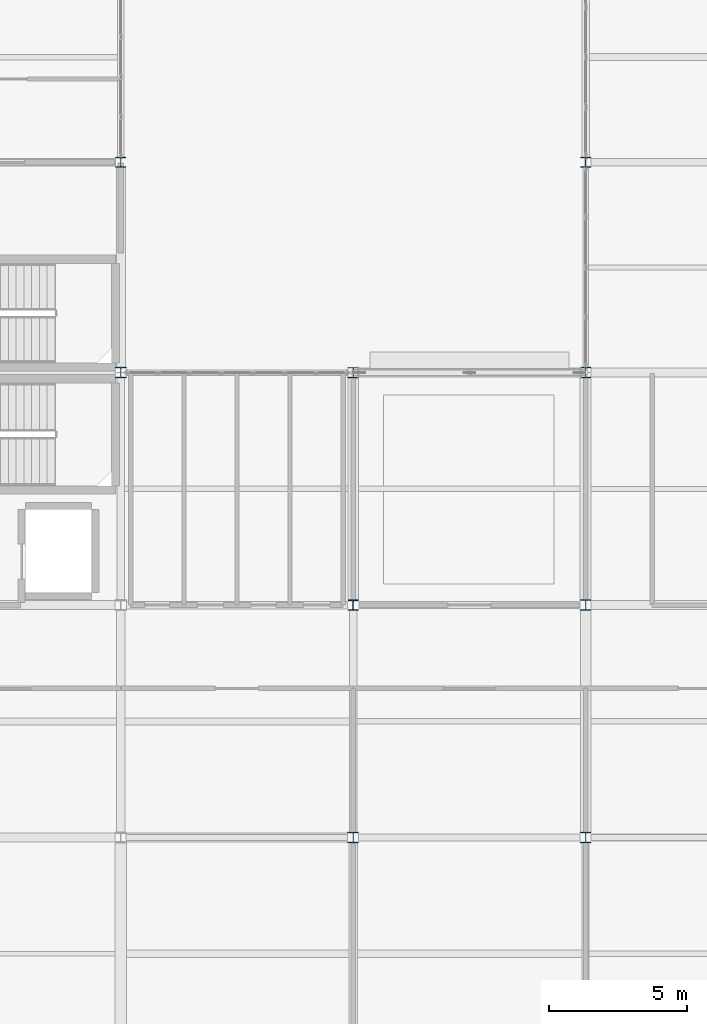
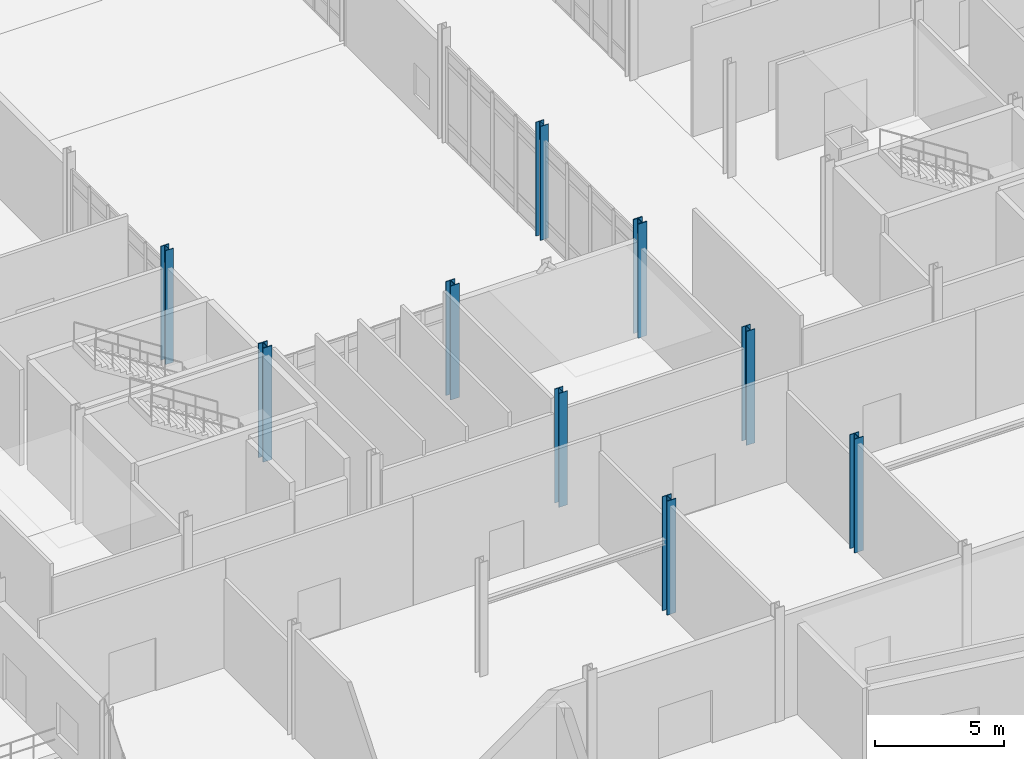
# One storey, part 3 of 229: 9 columns.
"""IFC4 building model written with IfcOpenShell, lengths in metres."""

from ifc_helpers import new_model, si_unit, direction, frame, origin, origin_2d, place, context, subcontext, project, spatial, i_section, extrude, material, material_profile, profile_set, type_object, element, save


model = new_model("IFC4")

# Units and contexts
model_context = context("Model", 3, precision=1e-05, world=origin(), true_north=direction((0.0, 1.0)))
body_context = subcontext(model_context, "Body", "Model", "MODEL_VIEW")
ifc_project = project(units=[si_unit("LENGTHUNIT", "METRE"), si_unit("AREAUNIT", "SQUARE_METRE"), si_unit("VOLUMEUNIT", "CUBIC_METRE"), si_unit("PLANEANGLEUNIT", "RADIAN"), si_unit("MASSUNIT", "GRAM", prefix="KILO")], contexts=[model_context])

# Site, building, storey
site_placement = place(None, origin())
site = spatial("IfcSite", under=ifc_project, at=site_placement, CompositionType="ELEMENT")
building_placement = place(site_placement, origin())
building = spatial("IfcBuilding", under=site, at=building_placement, Name="Calvrana Isthmian Art Gallery", CompositionType="ELEMENT")
storey_placement = place(building_placement, origin())
storey = spatial("IfcBuildingStorey", under=building, at=storey_placement, Name="L00", CompositionType="ELEMENT", Elevation=0.0)

# Columns
ifc_material = material(Name="Steel ASTM A992 Gr 50", Category="steel")
ifc_material_profile_1 = material_profile(ifc_material, i_section(OverallWidth=0.37109375, OverallDepth=0.363037109375, WebThickness=0.01318359375, FlangeThickness=0.021728515625, FilletRadius=0.02490234375, at=origin_2d()), Name="W14X109")
ifc_profile_set_1 = profile_set([ifc_material_profile_1], Name="Steel ASTM A992 Gr 50")
column_type_1 = type_object("IfcColumnType", Name="COL-STL-W14X109", PredefinedType="COLUMN", material=ifc_profile_set_1)
column_1_placement = place(storey_placement, frame((55.199951171875, 54.39990234375, 0.0), z_axis=(0.0, 0.0, 1.0), x_axis=(1.0, 0.0, 0.0)))
element("IfcColumn", 1, at=column_1_placement, inside=storey, type_object=column_type_1, Name="Column 08/H L00", PredefinedType="COLUMN", context=body_context, shape_type="SweptSolid", body=[
    extrude(i_section(OverallWidth=0.37109375, OverallDepth=0.363037109375, WebThickness=0.01318359375, FlangeThickness=0.021728515625, FilletRadius=0.02490234375, at=origin_2d()), origin(), (0.0, 0.0, 1.0), 5.39990234375),
])
ifc_material_profile_2 = material_profile(ifc_material, i_section(OverallWidth=0.373046875, OverallDepth=0.373046875, WebThickness=0.016357421875, FlangeThickness=0.026123046875, FilletRadius=0.02490234375, at=origin_2d()), Name="W14X132")
ifc_profile_set_2 = profile_set([ifc_material_profile_2], Name="Steel ASTM A992 Gr 50")
column_type_2 = type_object("IfcColumnType", Name="COL-STL-W14X132", PredefinedType="COLUMN", material=ifc_profile_set_2)
for number, where, z_axis, x_axis, name in (
    (2, (38.39990234375, 54.39990234375, 0.0), (0.0, 0.0, 1.0), (1.0, 0.0, 0.0), "Column 06/H L00"),
    (3, (46.800048828125, 38.39990234375, 0.0), (0.0, 0.0, 1.0), (1.0, 0.0, 0.0), "Column 07/F L00"),
):
    element("IfcColumn", number, at=place(storey_placement, frame(where, z_axis=z_axis, x_axis=x_axis)), inside=storey, type_object=column_type_2, Name=name, PredefinedType="COLUMN", context=body_context, shape_type="SweptSolid", body=[
        extrude(i_section(OverallWidth=0.373046875, OverallDepth=0.373046875, WebThickness=0.016357421875, FlangeThickness=0.026123046875, FilletRadius=0.02490234375, at=origin_2d()), origin(), (0.0, 0.0, 1.0), 5.39990234375),
    ])
ifc_material_profile_3 = material_profile(ifc_material, i_section(OverallWidth=0.39599609375, OverallDepth=0.381103515625, WebThickness=0.018798828125, FlangeThickness=0.0302734375, FilletRadius=0.02490234375, at=origin_2d()), Name="W14X159")
ifc_profile_set_3 = profile_set([ifc_material_profile_3], Name="Steel ASTM A992 Gr 50")
column_type_3 = type_object("IfcColumnType", Name="COL-STL-W14X159", PredefinedType="COLUMN", material=ifc_profile_set_3)
column_2_placement = place(storey_placement, frame((55.199951171875, 30.0, 0.0), z_axis=(0.0, 0.0, 1.0), x_axis=(1.0, 0.0, 0.0)))
element("IfcColumn", 4, at=column_2_placement, inside=storey, type_object=column_type_3, Name="Column 08/E L00", PredefinedType="COLUMN", context=body_context, shape_type="SweptSolid", body=[
    extrude(i_section(OverallWidth=0.39599609375, OverallDepth=0.381103515625, WebThickness=0.018798828125, FlangeThickness=0.0302734375, FilletRadius=0.02490234375, at=origin_2d()), origin(), (0.0, 0.0, 1.0), 5.39990234375),
])
ifc_material_profile_4 = material_profile(ifc_material, i_section(OverallWidth=0.39892578125, OverallDepth=0.385986328125, WebThickness=0.02099609375, FlangeThickness=0.033203125, FilletRadius=0.02490234375, at=origin_2d()), Name="W14X176")
ifc_profile_set_4 = profile_set([ifc_material_profile_4], Name="Steel ASTM A992 Gr 50")
column_type_4 = type_object("IfcColumnType", Name="COL-STL-W14X176", PredefinedType="COLUMN", material=ifc_profile_set_4)
for number, where, z_axis, x_axis, name in (
    (5, (46.800048828125, 30.0, 0.0), (0.0, 0.0, 1.0), (1.0, 0.0, 0.0), "Column 07/E L00"),
    (6, (46.800048828125, 46.800048828125, 0.0), (0.0, 0.0, 1.0), (1.0, 0.0, 0.0), "Column 07/G L00"),
    (7, (55.199951171875, 38.39990234375, 0.0), (0.0, 0.0, 1.0), (1.0, 0.0, 0.0), "Column 08/F L00"),
):
    element("IfcColumn", number, at=place(storey_placement, frame(where, z_axis=z_axis, x_axis=x_axis)), inside=storey, type_object=column_type_4, Name=name, PredefinedType="COLUMN", context=body_context, shape_type="SweptSolid", body=[
        extrude(i_section(OverallWidth=0.39892578125, OverallDepth=0.385986328125, WebThickness=0.02099609375, FlangeThickness=0.033203125, FilletRadius=0.02490234375, at=origin_2d()), origin(), (0.0, 0.0, 1.0), 5.39990234375),
    ])
ifc_material_profile_5 = material_profile(ifc_material, i_section(OverallWidth=0.40087890625, OverallDepth=0.39892578125, WebThickness=0.02490234375, FlangeThickness=0.03955078125, FilletRadius=0.02490234375, at=origin_2d()), Name="W14X211")
ifc_profile_set_5 = profile_set([ifc_material_profile_5], Name="Steel ASTM A992 Gr 50")
column_type_5 = type_object("IfcColumnType", Name="COL-STL-W14X211", PredefinedType="COLUMN", material=ifc_profile_set_5)
column_3_placement = place(storey_placement, frame((38.39990234375, 46.800048828125, 0.0), z_axis=(0.0, 0.0, 1.0), x_axis=(1.0, 0.0, 0.0)))
element("IfcColumn", 8, at=column_3_placement, inside=storey, type_object=column_type_5, Name="Column 06/G L00", PredefinedType="COLUMN", context=body_context, shape_type="SweptSolid", body=[
    extrude(i_section(OverallWidth=0.40087890625, OverallDepth=0.39892578125, WebThickness=0.02490234375, FlangeThickness=0.03955078125, FilletRadius=0.02490234375, at=origin_2d()), origin(), (0.0, 0.0, 1.0), 5.39990234375),
])
ifc_material_profile_6 = material_profile(ifc_material, i_section(OverallWidth=0.404052734375, OverallDepth=0.406005859375, WebThickness=0.027099609375, FlangeThickness=0.043701171875, FilletRadius=0.02490234375, at=origin_2d()), Name="W14X233")
ifc_profile_set_6 = profile_set([ifc_material_profile_6], Name="Steel ASTM A992 Gr 50")
column_type_6 = type_object("IfcColumnType", Name="COL-STL-W14X233", PredefinedType="COLUMN", material=ifc_profile_set_6)
column_4_placement = place(storey_placement, frame((55.199951171875, 46.800048828125, 0.0), z_axis=(0.0, 0.0, 1.0), x_axis=(1.0, 0.0, 0.0)))
element("IfcColumn", 9, at=column_4_placement, inside=storey, type_object=column_type_6, Name="Column 08/G L00", PredefinedType="COLUMN", context=body_context, shape_type="SweptSolid", body=[
    extrude(i_section(OverallWidth=0.404052734375, OverallDepth=0.406005859375, WebThickness=0.027099609375, FlangeThickness=0.043701171875, FilletRadius=0.02490234375, at=origin_2d()), origin(), (0.0, 0.0, 1.0), 5.39990234375),
])

save(model, "model.ifc")
